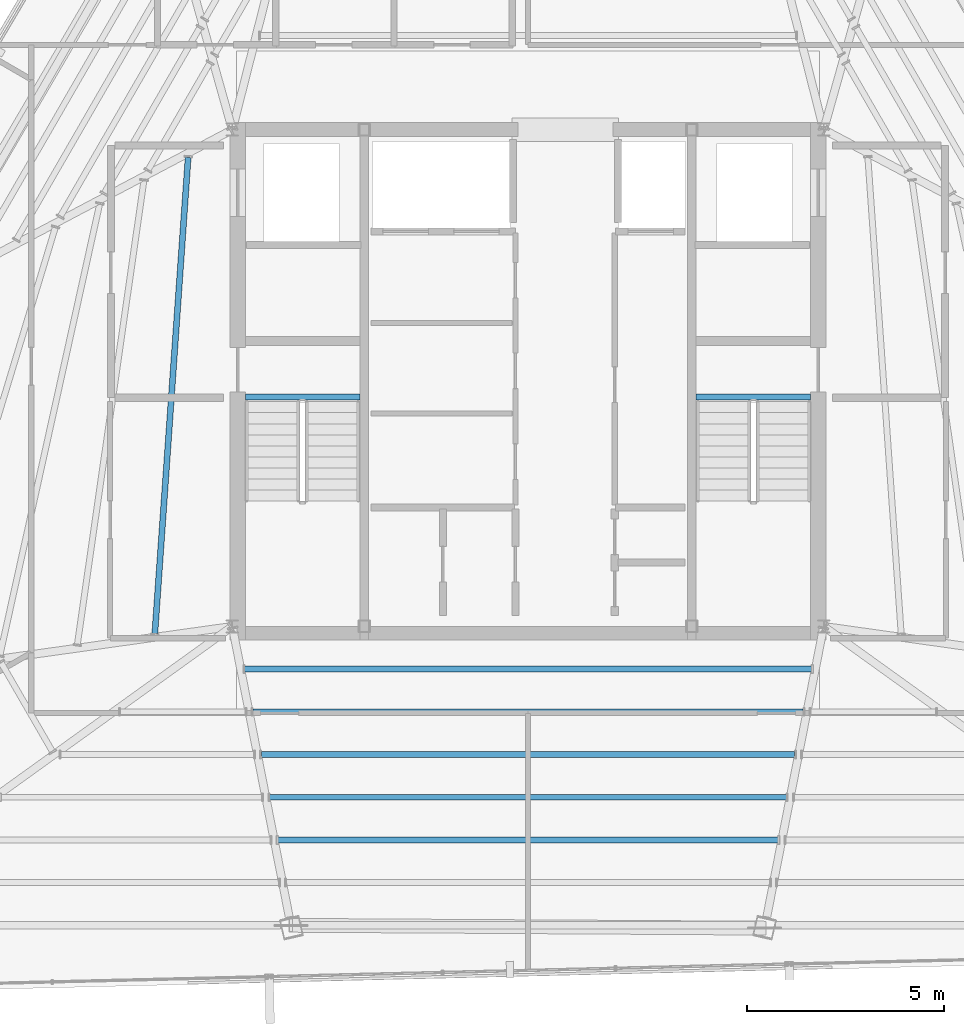
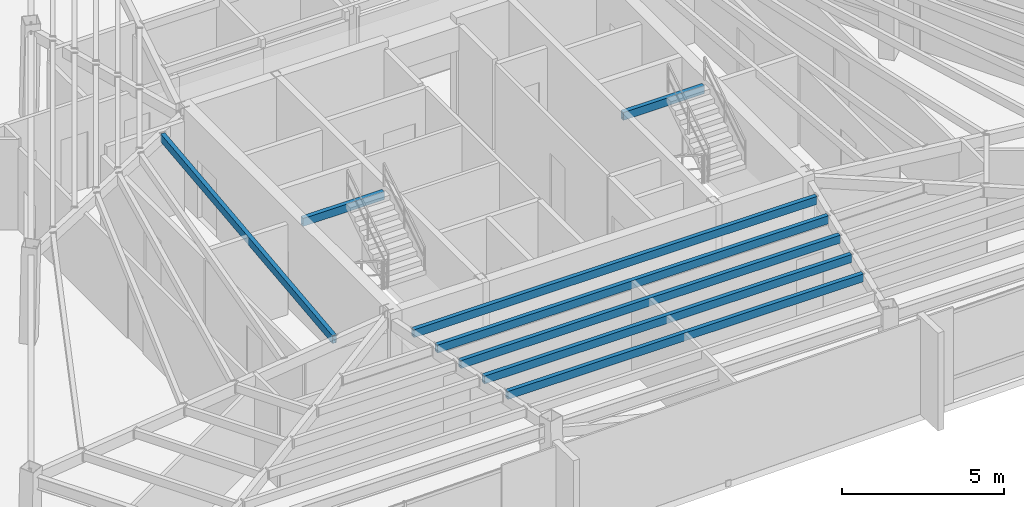
# One storey, part 16 of 48: 8 beams.
"""IFC4 building model written with IfcOpenShell, lengths in metres."""

from ifc_helpers import new_model, si_unit, direction, frame, origin, origin_2d, place, context, subcontext, project, spatial, hollow_rectangle, extrude, source, transform, mapped, material, material_profile, profile_set, type_object, type_shapes, element, save


model = new_model("IFC4")

# Units and contexts
model_context = context("Model", 3, precision=1e-05, world=origin(), true_north=direction((0.0, 1.0)))
body_context = subcontext(model_context, "Body", "Model", "MODEL_VIEW")
ifc_project = project(units=[si_unit("LENGTHUNIT", "METRE"), si_unit("AREAUNIT", "SQUARE_METRE"), si_unit("VOLUMEUNIT", "CUBIC_METRE"), si_unit("PLANEANGLEUNIT", "RADIAN"), si_unit("MASSUNIT", "GRAM", prefix="KILO")], contexts=[model_context])

# Site, building, storey
site_placement = place(None, origin())
site = spatial("IfcSite", under=ifc_project, at=site_placement, CompositionType="ELEMENT")
building_placement = place(site_placement, origin())
building = spatial("IfcBuilding", under=site, at=building_placement, Name="Caelisora Broadcast Tower", CompositionType="ELEMENT")
storey_placement = place(building_placement, frame((0.0, 0.0, 277.300048828125)))
storey = spatial("IfcBuildingStorey", under=building, at=storey_placement, Name="L73", CompositionType="ELEMENT", Elevation=277.300048828125)

# Beams
ifc_material = material(Name="Steel Grade 350 (AS/NZS 1163 C350L0)", Category="steel")
ifc_material_profile = material_profile(ifc_material, hollow_rectangle(XDim=0.14990234375, YDim=0.300048828125, WallThickness=0.010009765625, at=origin_2d()), Name="Steel Grade 350 (AS/NZS 1163 C350L0)")
ifc_profile_set = profile_set([ifc_material_profile], Name="Steel Grade 350 (AS/NZS 1163 C350L0)")
beam_type = type_object("IfcBeamType", Name="SB05", PredefinedType="JOIST", material=ifc_profile_set)
shared_shape_1 = source(origin(), body_context, "Body", "SweptSolid", [
    extrude(hollow_rectangle(XDim=0.14990234375, YDim=0.300048828125, WallThickness=0.010009765625, at=origin_2d()), origin(), (0.0, 0.0, 1.0), 2.89990234375),
])
for number, where, z_axis, x_axis, name in (
    (1, (30.840087890625, 23.219970703125, 3.25), (1.0, 0.0, 0.0), (0.0, 1.0, 0.0), "L73 beam SB05"),
    (2, (42.260009765625, 23.219970703125, 3.25), (1.0, 0.0, 0.0), (0.0, 1.0, 0.0), "L73 beam SB05"),
):
    element("IfcBeam", number, at=place(storey_placement, frame(where, z_axis=z_axis, x_axis=x_axis)), inside=storey, type_object=beam_type, Name=name, PredefinedType="JOIST", context=body_context, shape_type="MappedRepresentation", body=[
        mapped(shared_shape_1, transform((0.0, 0.0, 0.0), scale=1.0)),
    ])
shared_shape_2 = source(origin(), body_context, "Body", "SweptSolid", [
    extrude(hollow_rectangle(XDim=0.14990234375, YDim=0.300048828125, WallThickness=0.010009765625, at=origin_2d()), origin(), (0.0, 0.0, 1.0), 12.1044921875),
])
beam_1_placement = place(storey_placement, frame((29.37939453125, 29.29736328125, 3.25), z_axis=(-0.069766304854, -0.997563362753, 0.0), x_axis=(0.997563362753, -0.069766304854, 0.0)))
element("IfcBeam", 3, at=beam_1_placement, inside=storey, type_object=beam_type, Name="L73 beam SB05", PredefinedType="JOIST", context=body_context, shape_type="MappedRepresentation", body=[
    mapped(shared_shape_2, transform((0.0, 0.0, 0.0), scale=1.0)),
])
shared_shape_3 = source(origin(), body_context, "Body", "SweptSolid", [
    extrude(hollow_rectangle(XDim=0.14990234375, YDim=0.300048828125, WallThickness=0.010009765625, at=origin_2d()), origin(), (0.0, 0.0, 1.0), 14.3779296875),
])
beam_2_placement = place(storey_placement, frame((30.81103515625, 16.31689453125, 3.25), z_axis=(1.0, 0.0, 0.0), x_axis=(0.0, 1.0, 0.0)))
element("IfcBeam", 4, at=beam_2_placement, inside=storey, type_object=beam_type, Name="L73 beam SB05", PredefinedType="JOIST", context=body_context, shape_type="MappedRepresentation", body=[
    mapped(shared_shape_3, transform((0.0, 0.0, 0.0), scale=1.0)),
])
shared_shape_4 = source(origin(), body_context, "Body", "SweptSolid", [
    extrude(hollow_rectangle(XDim=0.14990234375, YDim=0.300048828125, WallThickness=0.010009765625, at=origin_2d()), origin(), (0.0, 0.0, 1.0), 13.95361328125),
])
beam_3_placement = place(storey_placement, frame((31.023193359375, 15.23388671875, 3.25), z_axis=(1.0, 0.0, 0.0), x_axis=(0.0, 1.0, 0.0)))
element("IfcBeam", 5, at=beam_3_placement, inside=storey, type_object=beam_type, Name="L73 beam SB05", PredefinedType="JOIST", context=body_context, shape_type="MappedRepresentation", body=[
    mapped(shared_shape_4, transform((0.0, 0.0, 0.0), scale=1.0)),
])
shared_shape_5 = source(origin(), body_context, "Body", "SweptSolid", [
    extrude(hollow_rectangle(XDim=0.14990234375, YDim=0.300048828125, WallThickness=0.010009765625, at=origin_2d()), origin(), (0.0, 0.0, 1.0), 13.529296875),
])
beam_4_placement = place(storey_placement, frame((31.2353515625, 14.150634765625, 3.25), z_axis=(1.0, 0.0, 0.0), x_axis=(0.0, 1.0, 0.0)))
element("IfcBeam", 6, at=beam_4_placement, inside=storey, type_object=beam_type, Name="L73 beam SB05", PredefinedType="JOIST", context=body_context, shape_type="MappedRepresentation", body=[
    mapped(shared_shape_5, transform((0.0, 0.0, 0.0), scale=1.0)),
])
shared_shape_6 = source(origin(), body_context, "Body", "SweptSolid", [
    extrude(hollow_rectangle(XDim=0.14990234375, YDim=0.300048828125, WallThickness=0.010009765625, at=origin_2d()), origin(), (0.0, 0.0, 1.0), 13.10498046875),
])
beam_5_placement = place(storey_placement, frame((31.447509765625, 13.0673828125, 3.25), z_axis=(1.0, 0.0, 0.0), x_axis=(0.0, 1.0, 0.0)))
element("IfcBeam", 7, at=beam_5_placement, inside=storey, type_object=beam_type, Name="L73 beam SB05", PredefinedType="JOIST", context=body_context, shape_type="MappedRepresentation", body=[
    mapped(shared_shape_6, transform((0.0, 0.0, 0.0), scale=1.0)),
])
shared_shape_7 = source(origin(), body_context, "Body", "SweptSolid", [
    extrude(hollow_rectangle(XDim=0.14990234375, YDim=0.300048828125, WallThickness=0.010009765625, at=origin_2d()), origin(), (0.0, 0.0, 1.0), 12.68017578125),
])
type_shapes(beam_type, [shared_shape_1, shared_shape_2, shared_shape_3, shared_shape_4, shared_shape_5, shared_shape_6, shared_shape_7])
beam_6_placement = place(storey_placement, frame((31.659912109375, 11.984375, 3.25), z_axis=(1.0, 0.0, 0.0), x_axis=(0.0, 1.0, 0.0)))
element("IfcBeam", 8, at=beam_6_placement, inside=storey, type_object=beam_type, Name="L73 beam SB05", PredefinedType="JOIST", context=body_context, shape_type="MappedRepresentation", body=[
    mapped(shared_shape_7, transform((0.0, 0.0, 0.0), scale=1.0)),
])

save(model, "model.ifc")
